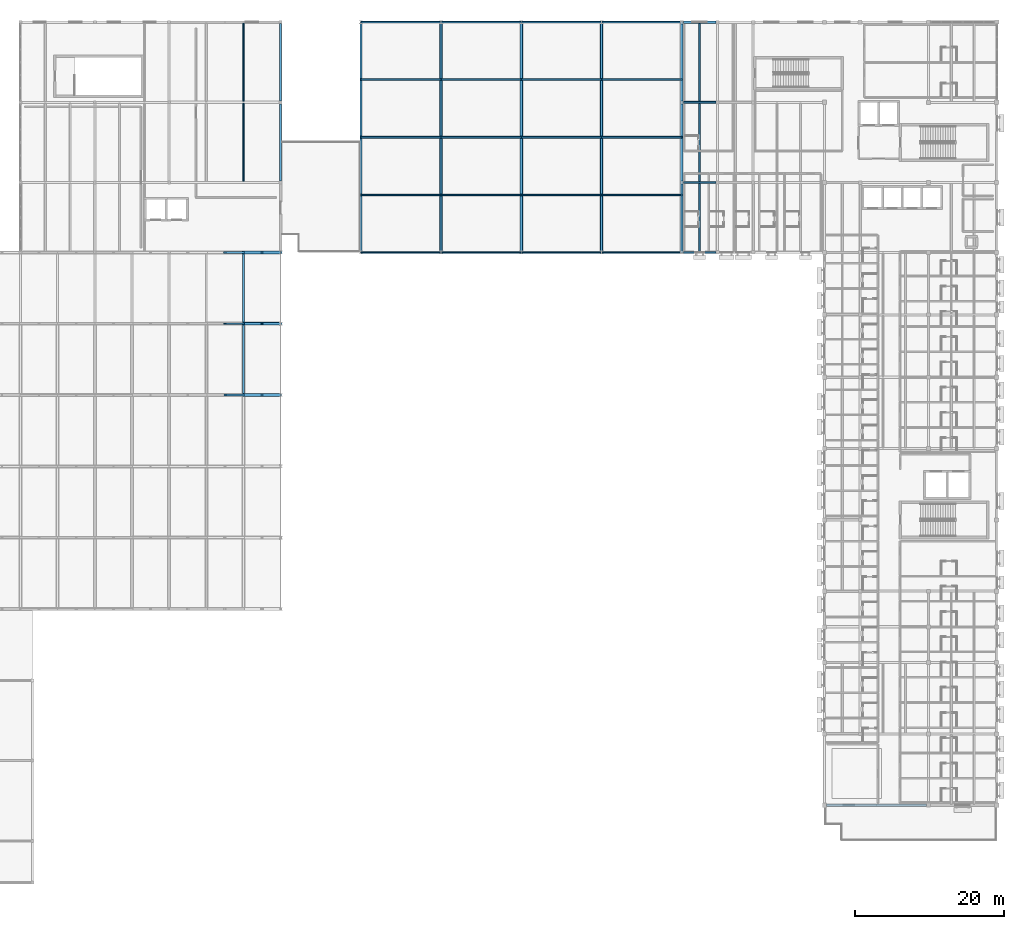
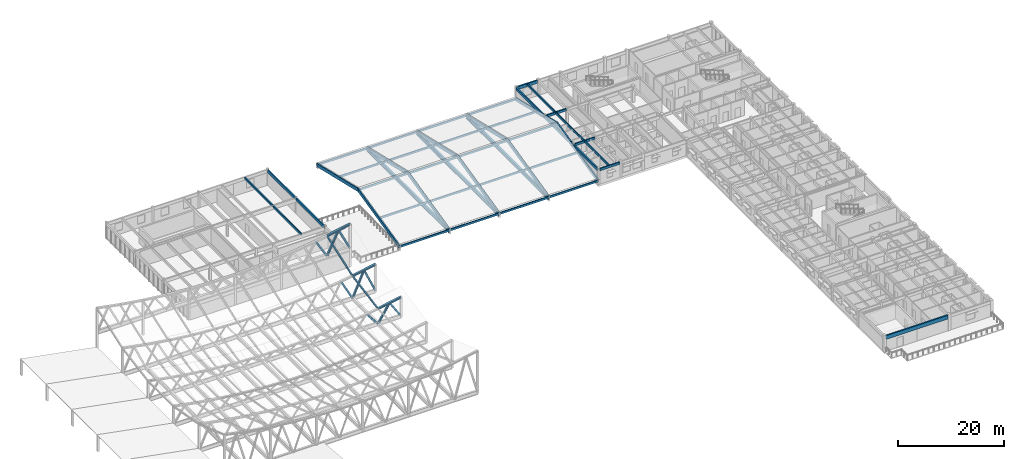
# One storey, part 16 of 40: 44 members, 18 beams, 2 elements without a shape of their own.
"""IFC4 building model written with IfcOpenShell, lengths in metres."""

from ifc_helpers import new_model, si_unit, direction, frame, origin, origin_2d, place, context, subcontext, project, spatial, rectangle, i_section, extrude, material, material_profile, profile_set, type_object, element, aggregate, save


model = new_model("IFC4")

# Units and contexts
model_context = context("Model", 3, precision=1e-05, world=origin(), true_north=direction((0.0, 1.0)))
body_context = subcontext(model_context, "Body", "Model", "MODEL_VIEW")
ifc_project = project(units=[si_unit("LENGTHUNIT", "METRE"), si_unit("AREAUNIT", "SQUARE_METRE"), si_unit("VOLUMEUNIT", "CUBIC_METRE"), si_unit("PLANEANGLEUNIT", "RADIAN"), si_unit("MASSUNIT", "GRAM", prefix="KILO")], contexts=[model_context])

# Site, building, storey
site_placement = place(None, origin())
site = spatial("IfcSite", under=ifc_project, at=site_placement, CompositionType="ELEMENT")
building_placement = place(site_placement, origin())
building = spatial("IfcBuilding", under=site, at=building_placement, Name="Veldera Park Congress Hotel", CompositionType="ELEMENT")
storey_placement = place(building_placement, frame((0.0, 0.0, 16.199951171875)))
storey = spatial("IfcBuildingStorey", under=building, at=storey_placement, Name="L03", CompositionType="ELEMENT", Elevation=16.199951171875)

# Beams
ifc_material_1 = material(Name="Glulam GL28h (NDS 24F-V4)", Category="wood")
ifc_material_profile_1 = material_profile(ifc_material_1, rectangle(XDim=0.239990234375, YDim=0.5400390625, at=origin_2d()), Name="GL28h 240x540")
ifc_profile_set_1 = profile_set([ifc_material_profile_1], Name="Glulam GL28h (NDS 24F-V4)")
beam_type_1 = type_object("IfcBeamType", Name="BM-GL540", PredefinedType="BEAM", material=ifc_profile_set_1)
beam_1_placement = place(storey_placement, frame((41.824951171875, 27.0, 3.2900390625), z_axis=(1.0, 0.0, 0.0), x_axis=(0.0, 1.0, 0.0)))
element("IfcBeam", 1, at=beam_1_placement, inside=storey, type_object=beam_type_1, Name="L03 Girder BM-GL540 1108", PredefinedType="BEAM", context=body_context, shape_type="SweptSolid", body=[
    extrude(rectangle(XDim=0.239990234375, YDim=0.5400390625, at=origin_2d()), origin(), (0.0, 0.0, 1.0), 4.35009765625),
])
for number, where, z_axis, x_axis, name in (
    (2, (41.81005859375, 36.39990234375, 3.2900390625), (1.0, 0.0, 0.0), (0.0, 1.0, 0.0), "L03 Girder BM-GL540 1117"),
    (3, (41.81005859375, 47.199951171875, 3.2900390625), (1.0, 0.0, 0.0), (0.0, 1.0, 0.0), "L03 Girder BM-GL540 1126"),
):
    element("IfcBeam", number, at=place(storey_placement, frame(where, z_axis=z_axis, x_axis=x_axis)), inside=storey, type_object=beam_type_1, Name=name, PredefinedType="BEAM", context=body_context, shape_type="SweptSolid", body=[
        extrude(rectangle(XDim=0.239990234375, YDim=0.5400390625, at=origin_2d()), origin(), (0.0, 0.0, 1.0), 4.3798828125),
    ])
ifc_material_profile_2 = material_profile(ifc_material_1, rectangle(XDim=0.264892578125, YDim=0.6201171875, at=origin_2d()), Name="GL28h 265x620")
ifc_profile_set_2 = profile_set([ifc_material_profile_2], Name="Glulam GL28h (NDS 24F-V4)")
beam_type_2 = type_object("IfcBeamType", Name="BM-GL620", PredefinedType="BEAM", material=ifc_profile_set_2)
beam_2_placement = place(storey_placement, frame((41.60009765625, 27.22509765625, 3.25), z_axis=(0.0, 1.0, 0.0), x_axis=(-1.0, 0.0, 0.0)))
element("IfcBeam", 4, at=beam_2_placement, inside=storey, type_object=beam_type_2, Name="L03 Girder BM-GL620 1148", PredefinedType="BEAM", context=body_context, shape_type="SweptSolid", body=[
    extrude(rectangle(XDim=0.264892578125, YDim=0.6201171875, at=origin_2d()), origin(), (0.0, 0.0, 1.0), 8.96484375),
])
ifc_material_profile_3 = material_profile(ifc_material_1, rectangle(XDim=0.280029296875, YDim=0.639892578125, at=origin_2d()), Name="GL28h 280x640")
ifc_profile_set_3 = profile_set([ifc_material_profile_3], Name="Glulam GL28h (NDS 24F-V4)")
beam_type_3 = type_object("IfcBeamType", Name="BM-GL640", PredefinedType="BEAM", material=ifc_profile_set_3)
for number, where, z_axis, x_axis, name in (
    (5, (-12.39990234375, 36.594970703125, 3.239990234375), (0.0, 1.0, 0.0), (-1.0, 0.0, 0.0), "L03 Girder BM-GL640 1146"),
    (6, (-12.39990234375, 47.39501953125, 3.239990234375), (0.0, 1.0, 0.0), (-1.0, 0.0, 0.0), "L03 Girder BM-GL640 1147"),
):
    element("IfcBeam", number, at=place(storey_placement, frame(where, z_axis=z_axis, x_axis=x_axis)), inside=storey, type_object=beam_type_3, Name=name, PredefinedType="BEAM", context=body_context, shape_type="SweptSolid", body=[
        extrude(rectangle(XDim=0.280029296875, YDim=0.639892578125, at=origin_2d()), origin(), (0.0, 0.0, 1.0), 10.409912109375),
    ])
beam_3_placement = place(storey_placement, frame((41.60009765625, 36.610107421875, 3.239990234375), z_axis=(0.0, 1.0, 0.0), x_axis=(-1.0, 0.0, 0.0)))
element("IfcBeam", 7, at=beam_3_placement, inside=storey, type_object=beam_type_3, Name="L03 Girder BM-GL640 1149", PredefinedType="BEAM", context=body_context, shape_type="SweptSolid", body=[
    extrude(rectangle(XDim=0.280029296875, YDim=0.639892578125, at=origin_2d()), origin(), (0.0, 0.0, 1.0), 10.3798828125),
])
beam_4_placement = place(storey_placement, frame((41.60009765625, 47.409912109375, 3.239990234375), z_axis=(0.0, 1.0, 0.0), x_axis=(-1.0, 0.0, 0.0)))
element("IfcBeam", 8, at=beam_4_placement, inside=storey, type_object=beam_type_3, Name="L03 Girder BM-GL640 1150", PredefinedType="BEAM", context=body_context, shape_type="SweptSolid", body=[
    extrude(rectangle(XDim=0.280029296875, YDim=0.639892578125, at=origin_2d()), origin(), (0.0, 0.0, 1.0), 10.364990234375),
])
ifc_material_profile_4 = material_profile(ifc_material_1, rectangle(XDim=0.31494140625, YDim=0.679931640625, at=origin_2d()), Name="GL28h 315x680")
ifc_profile_set_4 = profile_set([ifc_material_profile_4], Name="Glulam GL28h (NDS 24F-V4)")
beam_type_4 = type_object("IfcBeamType", Name="BM-GL640E", PredefinedType="BEAM", material=ifc_profile_set_4)
beam_5_placement = place(storey_placement, frame((41.824951171875, 58.0, 3.219970703125), z_axis=(1.0, 0.0, 0.0), x_axis=(0.0, 1.0, 0.0)))
element("IfcBeam", 9, at=beam_5_placement, inside=storey, type_object=beam_type_4, Name="L03 Girder BM-GL640E 1133", PredefinedType="BEAM", context=body_context, shape_type="SweptSolid", body=[
    extrude(rectangle(XDim=0.31494140625, YDim=0.679931640625, at=origin_2d()), origin(), (0.0, 0.0, 1.0), 4.35009765625),
])
ifc_material_profile_5 = material_profile(ifc_material_1, rectangle(XDim=0.31494140625, YDim=0.860107421875, at=origin_2d()), Name="GL28h 315x860")
ifc_profile_set_5 = profile_set([ifc_material_profile_5], Name="Glulam GL28h (NDS 24F-V4)")
beam_type_5 = type_object("IfcBeamType", Name="BM-GL860", PredefinedType="BEAM", material=ifc_profile_set_5)
beam_6_placement = place(storey_placement, frame((61.080078125, -47.39990234375, 3.130126953125), z_axis=(1.0, 0.0, 0.0), x_axis=(0.0, 1.0, 0.0)))
element("IfcBeam", 10, at=beam_6_placement, inside=storey, type_object=beam_type_5, Name="L03 Girder BM-GL860 1083", PredefinedType="BEAM", context=body_context, shape_type="SweptSolid", body=[
    extrude(rectangle(XDim=0.31494140625, YDim=0.860107421875, at=origin_2d()), origin(), (0.0, 0.0, 1.0), 13.4599609375),
])
ifc_material_2 = material(Name="Steel ASTM A992 Gr.50", Category="steel")
ifc_material_profile_6 = material_profile(ifc_material_2, i_section(OverallWidth=0.40087890625, OverallDepth=0.85498046875, WebThickness=0.018310546875, FlangeThickness=0.029296875, at=origin_2d()), Name="W33X201")
ifc_profile_set_6 = profile_set([ifc_material_profile_6], Name="Steel ASTM A992 Gr.50")
beam_type_6 = type_object("IfcBeamType", Name="BM-W33", PredefinedType="BEAM", material=ifc_profile_set_6)
for number, where, z_axis, x_axis, name in (
    (11, (9.199951171875, 27.0, 0.650146484375), (0.0, 1.0, 0.0), (-1.0, 0.0, 0.0), "Ballroom Roof Tie Girder 2"),
    (12, (20.0, 27.0, 0.650146484375), (0.0, 1.0, 0.0), (-1.0, 0.0, 0.0), "Ballroom Roof Tie Girder 3"),
    (13, (30.800048828125, 27.0, 0.650146484375), (0.0, 1.0, 0.0), (-1.0, 0.0, 0.0), "Ballroom Roof Tie Girder 4"),
):
    element("IfcBeam", number, at=place(storey_placement, frame(where, z_axis=z_axis, x_axis=x_axis)), inside=storey, type_object=beam_type_6, Name=name, PredefinedType="BEAM", context=body_context, shape_type="SweptSolid", body=[
        extrude(i_section(OverallWidth=0.40087890625, OverallDepth=0.85498046875, WebThickness=0.018310546875, FlangeThickness=0.029296875, at=origin_2d()), origin(), (0.0, 0.0, 1.0), 31.0),
    ])
ifc_material_profile_7 = material_profile(ifc_material_1, rectangle(XDim=0.215087890625, YDim=0.449951171875, at=origin_2d()), Name="GL28h 215x450")
ifc_profile_set_7 = profile_set([ifc_material_profile_7], Name="Glulam GL28h (NDS 24F-V4)")
beam_type_7 = type_object("IfcBeamType", Name="JST-GL450", PredefinedType="JOIST", material=ifc_profile_set_7)
beam_7_placement = place(storey_placement, frame((44.0, 27.1201171875, 3.3349609375), z_axis=(0.0, 1.0, 0.0), x_axis=(-1.0, 0.0, 0.0)))
element("IfcBeam", 14, at=beam_7_placement, inside=storey, type_object=beam_type_7, Name="L03 Floor Joist JST-GL450 1228", PredefinedType="JOIST", context=body_context, shape_type="SweptSolid", body=[
    extrude(rectangle(XDim=0.215087890625, YDim=0.449951171875, at=origin_2d()), origin(), (0.0, 0.0, 1.0), 9.159912109375),
])
ifc_material_profile_8 = material_profile(ifc_material_1, rectangle(XDim=0.215087890625, YDim=0.4951171875, at=origin_2d()), Name="GL28h 215x495")
ifc_profile_set_8 = profile_set([ifc_material_profile_8], Name="Glulam GL28h (NDS 24F-V4)")
beam_type_8 = type_object("IfcBeamType", Name="JST-GL495", PredefinedType="JOIST", material=ifc_profile_set_8)
beam_8_placement = place(storey_placement, frame((-17.39990234375, 36.5576171875, 3.3125), z_axis=(0.0, 1.0, 0.0), x_axis=(-1.0, 0.0, 0.0)))
element("IfcBeam", 15, at=beam_8_placement, inside=storey, type_object=beam_type_8, Name="L03 Floor Joist JST-GL495 1240", PredefinedType="JOIST", context=body_context, shape_type="SweptSolid", body=[
    extrude(rectangle(XDim=0.215087890625, YDim=0.4951171875, at=origin_2d()), origin(), (0.0, 0.0, 1.0), 10.48486328125),
])
beam_9_placement = place(storey_placement, frame((44.0, 36.52001953125, 3.3125), z_axis=(0.0, 1.0, 0.0), x_axis=(-1.0, 0.0, 0.0)))
element("IfcBeam", 16, at=beam_9_placement, inside=storey, type_object=beam_type_8, Name="L03 Floor Joist JST-GL495 1241", PredefinedType="JOIST", context=body_context, shape_type="SweptSolid", body=[
    extrude(rectangle(XDim=0.215087890625, YDim=0.4951171875, at=origin_2d()), origin(), (0.0, 0.0, 1.0), 10.56005859375),
])
beam_10_placement = place(storey_placement, frame((-17.39990234375, 47.357421875, 3.3125), z_axis=(0.0, 1.0, 0.0), x_axis=(-1.0, 0.0, 0.0)))
element("IfcBeam", 17, at=beam_10_placement, inside=storey, type_object=beam_type_8, Name="L03 Floor Joist JST-GL495 1248", PredefinedType="JOIST", context=body_context, shape_type="SweptSolid", body=[
    extrude(rectangle(XDim=0.215087890625, YDim=0.4951171875, at=origin_2d()), origin(), (0.0, 0.0, 1.0), 10.485107421875),
])
beam_11_placement = place(storey_placement, frame((44.0, 47.320068359375, 3.3125), z_axis=(0.0, 1.0, 0.0), x_axis=(-1.0, 0.0, 0.0)))
element("IfcBeam", 18, at=beam_11_placement, inside=storey, type_object=beam_type_8, Name="L03 Floor Joist JST-GL495 1249", PredefinedType="JOIST", context=body_context, shape_type="SweptSolid", body=[
    extrude(rectangle(XDim=0.215087890625, YDim=0.4951171875, at=origin_2d()), origin(), (0.0, 0.0, 1.0), 10.5224609375),
])

# Roof, members
ifc_material_3 = material(Name="Cross-laminated timber CLT V2M1.1", Category="wood")
roof_type_1 = type_object("IfcRoofType", Name="ROOF-GAB", PredefinedType="GABLE_ROOF", material=ifc_material_3)
roof_1_placement = place(storey_placement, origin())
roof_1 = element("IfcRoof", 19, at=roof_1_placement, inside=storey, type_object=roof_type_1, Name="Grand Ballroom Sagging-Ridge Roof", PredefinedType="GABLE_ROOF")
ifc_material_profile_9 = material_profile(ifc_material_1, rectangle(XDim=0.215087890625, YDim=0.449951171875, at=origin_2d()), Name="GL28h 215x450")
ifc_profile_set_9 = profile_set([ifc_material_profile_9], Name="Glulam GL28h (NDS 24F-V4)")
member_type_1 = type_object("IfcMemberType", Name="PUR-GL450", PredefinedType="PURLIN", material=ifc_profile_set_9)
member_1_placement = place(storey_placement, frame((-1.60009765625, 27.0, 0.800048828125), z_axis=(1.0, 0.0, 0.0), x_axis=(0.0, 1.0, 0.0)))
member_1 = element("IfcMember", 20, at=member_1_placement, type_object=member_type_1, Name="Ballroom Roof Purlin 1-27", PredefinedType="PURLIN", context=body_context, shape_type="SweptSolid", body=[
    extrude(rectangle(XDim=0.215087890625, YDim=0.449951171875, at=origin_2d()), origin(), (0.0, 0.0, 1.0), 10.800048828125),
])
member_2_placement = place(storey_placement, frame((-1.60009765625, 34.75, 2.6201171875), z_axis=(1.0, 0.0, 0.0), x_axis=(0.0, 1.0, 0.0)))
member_2 = element("IfcMember", 21, at=member_2_placement, type_object=member_type_1, Name="Ballroom Roof Purlin 1-34", PredefinedType="PURLIN", context=body_context, shape_type="SweptSolid", body=[
    extrude(rectangle(XDim=0.215087890625, YDim=0.449951171875, at=origin_2d()), origin(), (0.0, 0.0, 1.0), 10.800048828125),
])
member_3_placement = place(storey_placement, frame((-1.60009765625, 42.5, 4.449951171875), z_axis=(1.0, 0.0, 0.0), x_axis=(0.0, 1.0, 0.0)))
member_3 = element("IfcMember", 22, at=member_3_placement, type_object=member_type_1, Name="Ballroom Roof Purlin 1-42", PredefinedType="PURLIN", context=body_context, shape_type="SweptSolid", body=[
    extrude(rectangle(XDim=0.215087890625, YDim=0.449951171875, at=origin_2d()), origin(), (0.0, 0.0, 1.0), 10.800048828125),
])
member_4_placement = place(storey_placement, frame((-1.60009765625, 50.25, 2.6201171875), z_axis=(1.0, 0.0, 0.0), x_axis=(0.0, 1.0, 0.0)))
member_4 = element("IfcMember", 23, at=member_4_placement, type_object=member_type_1, Name="Ballroom Roof Purlin 1-50", PredefinedType="PURLIN", context=body_context, shape_type="SweptSolid", body=[
    extrude(rectangle(XDim=0.215087890625, YDim=0.449951171875, at=origin_2d()), origin(), (0.0, 0.0, 1.0), 10.800048828125),
])
member_5_placement = place(storey_placement, frame((-1.60009765625, 58.0, 0.800048828125), z_axis=(1.0, 0.0, 0.0), x_axis=(0.0, 1.0, 0.0)))
member_5 = element("IfcMember", 24, at=member_5_placement, type_object=member_type_1, Name="Ballroom Roof Purlin 1-58", PredefinedType="PURLIN", context=body_context, shape_type="SweptSolid", body=[
    extrude(rectangle(XDim=0.215087890625, YDim=0.449951171875, at=origin_2d()), origin(), (0.0, 0.0, 1.0), 10.800048828125),
])
member_6_placement = place(storey_placement, frame((9.199951171875, 27.0, 0.800048828125), z_axis=(1.0, 0.0, 0.0), x_axis=(0.0, 1.0, 0.0)))
member_6 = element("IfcMember", 25, at=member_6_placement, type_object=member_type_1, Name="Ballroom Roof Purlin 2-27", PredefinedType="PURLIN", context=body_context, shape_type="SweptSolid", body=[
    extrude(rectangle(XDim=0.215087890625, YDim=0.449951171875, at=origin_2d()), origin(), (0.0, 0.0, 1.0), 10.800048828125),
])
member_7_placement = place(storey_placement, frame((9.199951171875, 34.75, 2.6201171875), z_axis=(1.0, 0.0, 0.0), x_axis=(0.0, 1.0, 0.0)))
member_7 = element("IfcMember", 26, at=member_7_placement, type_object=member_type_1, Name="Ballroom Roof Purlin 2-34", PredefinedType="PURLIN", context=body_context, shape_type="SweptSolid", body=[
    extrude(rectangle(XDim=0.215087890625, YDim=0.449951171875, at=origin_2d()), origin(), (0.0, 0.0, 1.0), 10.800048828125),
])
member_8_placement = place(storey_placement, frame((9.199951171875, 42.5, 4.449951171875), z_axis=(1.0, 0.0, 0.0), x_axis=(0.0, 1.0, 0.0)))
member_8 = element("IfcMember", 27, at=member_8_placement, type_object=member_type_1, Name="Ballroom Roof Purlin 2-42", PredefinedType="PURLIN", context=body_context, shape_type="SweptSolid", body=[
    extrude(rectangle(XDim=0.215087890625, YDim=0.449951171875, at=origin_2d()), origin(), (0.0, 0.0, 1.0), 10.800048828125),
])
member_9_placement = place(storey_placement, frame((9.199951171875, 50.25, 2.6201171875), z_axis=(1.0, 0.0, 0.0), x_axis=(0.0, 1.0, 0.0)))
member_9 = element("IfcMember", 28, at=member_9_placement, type_object=member_type_1, Name="Ballroom Roof Purlin 2-50", PredefinedType="PURLIN", context=body_context, shape_type="SweptSolid", body=[
    extrude(rectangle(XDim=0.215087890625, YDim=0.449951171875, at=origin_2d()), origin(), (0.0, 0.0, 1.0), 10.800048828125),
])
member_10_placement = place(storey_placement, frame((9.199951171875, 58.0, 0.800048828125), z_axis=(1.0, 0.0, 0.0), x_axis=(0.0, 1.0, 0.0)))
member_10 = element("IfcMember", 29, at=member_10_placement, type_object=member_type_1, Name="Ballroom Roof Purlin 2-58", PredefinedType="PURLIN", context=body_context, shape_type="SweptSolid", body=[
    extrude(rectangle(XDim=0.215087890625, YDim=0.449951171875, at=origin_2d()), origin(), (0.0, 0.0, 1.0), 10.800048828125),
])
member_11_placement = place(storey_placement, frame((20.0, 27.0, 0.800048828125), z_axis=(1.0, 0.0, 0.0), x_axis=(0.0, 1.0, 0.0)))
member_11 = element("IfcMember", 30, at=member_11_placement, type_object=member_type_1, Name="Ballroom Roof Purlin 3-27", PredefinedType="PURLIN", context=body_context, shape_type="SweptSolid", body=[
    extrude(rectangle(XDim=0.215087890625, YDim=0.449951171875, at=origin_2d()), origin(), (0.0, 0.0, 1.0), 10.800048828125),
])
member_12_placement = place(storey_placement, frame((20.0, 34.75, 2.6201171875), z_axis=(1.0, 0.0, 0.0), x_axis=(0.0, 1.0, 0.0)))
member_12 = element("IfcMember", 31, at=member_12_placement, type_object=member_type_1, Name="Ballroom Roof Purlin 3-34", PredefinedType="PURLIN", context=body_context, shape_type="SweptSolid", body=[
    extrude(rectangle(XDim=0.215087890625, YDim=0.449951171875, at=origin_2d()), origin(), (0.0, 0.0, 1.0), 10.800048828125),
])
member_13_placement = place(storey_placement, frame((20.0, 42.5, 4.449951171875), z_axis=(1.0, 0.0, 0.0), x_axis=(0.0, 1.0, 0.0)))
member_13 = element("IfcMember", 32, at=member_13_placement, type_object=member_type_1, Name="Ballroom Roof Purlin 3-42", PredefinedType="PURLIN", context=body_context, shape_type="SweptSolid", body=[
    extrude(rectangle(XDim=0.215087890625, YDim=0.449951171875, at=origin_2d()), origin(), (0.0, 0.0, 1.0), 10.800048828125),
])
member_14_placement = place(storey_placement, frame((20.0, 50.25, 2.6201171875), z_axis=(1.0, 0.0, 0.0), x_axis=(0.0, 1.0, 0.0)))
member_14 = element("IfcMember", 33, at=member_14_placement, type_object=member_type_1, Name="Ballroom Roof Purlin 3-50", PredefinedType="PURLIN", context=body_context, shape_type="SweptSolid", body=[
    extrude(rectangle(XDim=0.215087890625, YDim=0.449951171875, at=origin_2d()), origin(), (0.0, 0.0, 1.0), 10.800048828125),
])
member_15_placement = place(storey_placement, frame((20.0, 58.0, 0.800048828125), z_axis=(1.0, 0.0, 0.0), x_axis=(0.0, 1.0, 0.0)))
member_15 = element("IfcMember", 34, at=member_15_placement, type_object=member_type_1, Name="Ballroom Roof Purlin 3-58", PredefinedType="PURLIN", context=body_context, shape_type="SweptSolid", body=[
    extrude(rectangle(XDim=0.215087890625, YDim=0.449951171875, at=origin_2d()), origin(), (0.0, 0.0, 1.0), 10.800048828125),
])
member_16_placement = place(storey_placement, frame((30.800048828125, 27.0, 0.800048828125), z_axis=(1.0, 0.0, 0.0), x_axis=(0.0, 1.0, 0.0)))
member_16 = element("IfcMember", 35, at=member_16_placement, type_object=member_type_1, Name="Ballroom Roof Purlin 4-27", PredefinedType="PURLIN", context=body_context, shape_type="SweptSolid", body=[
    extrude(rectangle(XDim=0.215087890625, YDim=0.449951171875, at=origin_2d()), origin(), (0.0, 0.0, 1.0), 10.800048828125),
])
member_17_placement = place(storey_placement, frame((30.800048828125, 34.75, 2.6201171875), z_axis=(1.0, 0.0, 0.0), x_axis=(0.0, 1.0, 0.0)))
member_17 = element("IfcMember", 36, at=member_17_placement, type_object=member_type_1, Name="Ballroom Roof Purlin 4-34", PredefinedType="PURLIN", context=body_context, shape_type="SweptSolid", body=[
    extrude(rectangle(XDim=0.215087890625, YDim=0.449951171875, at=origin_2d()), origin(), (0.0, 0.0, 1.0), 10.800048828125),
])
member_18_placement = place(storey_placement, frame((30.800048828125, 42.5, 4.449951171875), z_axis=(1.0, 0.0, 0.0), x_axis=(0.0, 1.0, 0.0)))
member_18 = element("IfcMember", 37, at=member_18_placement, type_object=member_type_1, Name="Ballroom Roof Purlin 4-42", PredefinedType="PURLIN", context=body_context, shape_type="SweptSolid", body=[
    extrude(rectangle(XDim=0.215087890625, YDim=0.449951171875, at=origin_2d()), origin(), (0.0, 0.0, 1.0), 10.800048828125),
])
member_19_placement = place(storey_placement, frame((30.800048828125, 50.25, 2.6201171875), z_axis=(1.0, 0.0, 0.0), x_axis=(0.0, 1.0, 0.0)))
member_19 = element("IfcMember", 38, at=member_19_placement, type_object=member_type_1, Name="Ballroom Roof Purlin 4-50", PredefinedType="PURLIN", context=body_context, shape_type="SweptSolid", body=[
    extrude(rectangle(XDim=0.215087890625, YDim=0.449951171875, at=origin_2d()), origin(), (0.0, 0.0, 1.0), 10.800048828125),
])
member_20_placement = place(storey_placement, frame((30.800048828125, 58.0, 0.800048828125), z_axis=(1.0, 0.0, 0.0), x_axis=(0.0, 1.0, 0.0)))
member_20 = element("IfcMember", 39, at=member_20_placement, type_object=member_type_1, Name="Ballroom Roof Purlin 4-58", PredefinedType="PURLIN", context=body_context, shape_type="SweptSolid", body=[
    extrude(rectangle(XDim=0.215087890625, YDim=0.449951171875, at=origin_2d()), origin(), (0.0, 0.0, 1.0), 10.800048828125),
])
ifc_material_profile_10 = material_profile(ifc_material_1, rectangle(XDim=0.280029296875, YDim=0.760009765625, at=origin_2d()), Name="GL28h 280x760")
ifc_profile_set_10 = profile_set([ifc_material_profile_10], Name="Glulam GL28h (NDS 24F-V4)")
member_type_2 = type_object("IfcMemberType", Name="RAF-GL760", PredefinedType="RAFTER", material=ifc_profile_set_10)
member_21_placement = place(storey_placement, frame((-1.60009765625, 27.0, 0.75), z_axis=(0.0, 0.973373920852, 0.229223057753), x_axis=(-1.0, 0.0, 0.0)))
member_21 = element("IfcMember", 40, at=member_21_placement, type_object=member_type_2, Name="Ballroom South Rafter 1", PredefinedType="RAFTER", context=body_context, shape_type="SweptSolid", body=[
    extrude(rectangle(XDim=0.280029296875, YDim=0.760009765625, at=origin_2d()), origin(), (0.0, 0.0, 1.0), 15.924072265625),
])
member_22_placement = place(storey_placement, frame((-1.60009765625, 58.0, 0.75), z_axis=(0.0, -0.973373920852, 0.229223057753), x_axis=(1.0, 0.0, 0.0)))
member_22 = element("IfcMember", 41, at=member_22_placement, type_object=member_type_2, Name="Ballroom North Rafter 1", PredefinedType="RAFTER", context=body_context, shape_type="SweptSolid", body=[
    extrude(rectangle(XDim=0.280029296875, YDim=0.760009765625, at=origin_2d()), origin(), (0.0, 0.0, 1.0), 15.924072265625),
])
member_23_placement = place(storey_placement, frame((9.199951171875, 27.0, 0.75), z_axis=(0.0, 0.973373920852, 0.229223057753), x_axis=(-1.0, 0.0, 0.0)))
member_23 = element("IfcMember", 42, at=member_23_placement, type_object=member_type_2, Name="Ballroom South Rafter 2", PredefinedType="RAFTER", context=body_context, shape_type="SweptSolid", body=[
    extrude(rectangle(XDim=0.280029296875, YDim=0.760009765625, at=origin_2d()), origin(), (0.0, 0.0, 1.0), 15.924072265625),
])
member_24_placement = place(storey_placement, frame((9.199951171875, 58.0, 0.75), z_axis=(0.0, -0.973373920852, 0.229223057753), x_axis=(1.0, 0.0, 0.0)))
member_24 = element("IfcMember", 43, at=member_24_placement, type_object=member_type_2, Name="Ballroom North Rafter 2", PredefinedType="RAFTER", context=body_context, shape_type="SweptSolid", body=[
    extrude(rectangle(XDim=0.280029296875, YDim=0.760009765625, at=origin_2d()), origin(), (0.0, 0.0, 1.0), 15.924072265625),
])
member_25_placement = place(storey_placement, frame((20.0, 27.0, 0.75), z_axis=(0.0, 0.973373920852, 0.229223057753), x_axis=(-1.0, 0.0, 0.0)))
member_25 = element("IfcMember", 44, at=member_25_placement, type_object=member_type_2, Name="Ballroom South Rafter 3", PredefinedType="RAFTER", context=body_context, shape_type="SweptSolid", body=[
    extrude(rectangle(XDim=0.280029296875, YDim=0.760009765625, at=origin_2d()), origin(), (0.0, 0.0, 1.0), 15.924072265625),
])
member_26_placement = place(storey_placement, frame((20.0, 58.0, 0.75), z_axis=(0.0, -0.973373920852, 0.229223057753), x_axis=(1.0, 0.0, 0.0)))
member_26 = element("IfcMember", 45, at=member_26_placement, type_object=member_type_2, Name="Ballroom North Rafter 3", PredefinedType="RAFTER", context=body_context, shape_type="SweptSolid", body=[
    extrude(rectangle(XDim=0.280029296875, YDim=0.760009765625, at=origin_2d()), origin(), (0.0, 0.0, 1.0), 15.924072265625),
])
member_27_placement = place(storey_placement, frame((30.800048828125, 27.0, 0.75), z_axis=(0.0, 0.973373920852, 0.229223057753), x_axis=(-1.0, 0.0, 0.0)))
member_27 = element("IfcMember", 46, at=member_27_placement, type_object=member_type_2, Name="Ballroom South Rafter 4", PredefinedType="RAFTER", context=body_context, shape_type="SweptSolid", body=[
    extrude(rectangle(XDim=0.280029296875, YDim=0.760009765625, at=origin_2d()), origin(), (0.0, 0.0, 1.0), 15.924072265625),
])
member_28_placement = place(storey_placement, frame((30.800048828125, 58.0, 0.75), z_axis=(0.0, -0.973373920852, 0.229223057753), x_axis=(1.0, 0.0, 0.0)))
member_28 = element("IfcMember", 47, at=member_28_placement, type_object=member_type_2, Name="Ballroom North Rafter 4", PredefinedType="RAFTER", context=body_context, shape_type="SweptSolid", body=[
    extrude(rectangle(XDim=0.280029296875, YDim=0.760009765625, at=origin_2d()), origin(), (0.0, 0.0, 1.0), 15.924072265625),
])
member_29_placement = place(storey_placement, frame((41.60009765625, 27.0, 0.75), z_axis=(0.0, 0.973373920852, 0.229223057753), x_axis=(-1.0, 0.0, 0.0)))
member_29 = element("IfcMember", 48, at=member_29_placement, type_object=member_type_2, Name="Ballroom South Rafter 5", PredefinedType="RAFTER", context=body_context, shape_type="SweptSolid", body=[
    extrude(rectangle(XDim=0.280029296875, YDim=0.760009765625, at=origin_2d()), origin(), (0.0, 0.0, 1.0), 15.924072265625),
])
member_30_placement = place(storey_placement, frame((41.60009765625, 58.0, 0.75), z_axis=(0.0, -0.973373920852, 0.229223057753), x_axis=(1.0, 0.0, 0.0)))
member_30 = element("IfcMember", 49, at=member_30_placement, type_object=member_type_2, Name="Ballroom North Rafter 5", PredefinedType="RAFTER", context=body_context, shape_type="SweptSolid", body=[
    extrude(rectangle(XDim=0.280029296875, YDim=0.760009765625, at=origin_2d()), origin(), (0.0, 0.0, 1.0), 15.924072265625),
])
aggregate(roof_1, [member_21, member_22, member_23, member_24, member_25, member_26, member_27, member_28, member_29, member_30, member_1, member_2, member_3, member_4, member_5, member_6, member_7, member_8, member_9, member_10, member_11, member_12, member_13, member_14, member_15, member_16, member_17, member_18, member_19, member_20])

roof_type_2 = type_object("IfcRoofType", Name="ROOF-PAV", PredefinedType="PAVILION_ROOF", material=ifc_material_3)
roof_2_placement = place(storey_placement, origin())
roof_2 = element("IfcRoof", 50, at=roof_2_placement, inside=storey, type_object=roof_type_2, Name="Plenary Congress Pavilion Sweeping Space Frame Roof", PredefinedType="PAVILION_ROOF")
ifc_material_profile_11 = material_profile(ifc_material_2, i_section(OverallWidth=0.404052734375, OverallDepth=0.406982421875, WebThickness=0.027099609375, FlangeThickness=0.043701171875, at=origin_2d()), Name="W14X233")
ifc_profile_set_11 = profile_set([ifc_material_profile_11], Name="Steel ASTM A992 Gr.50")
member_type_3 = type_object("IfcMemberType", Name="TR-CHD233", PredefinedType="CHORD", material=ifc_profile_set_11)
member_31_placement = place(storey_placement, frame((-17.39990234375, 7.800048828125, 3.689697265625), z_axis=(0.982514072984, 0.0, 0.186188335803), x_axis=(0.0, 1.0, 0.0)))
member_31 = element("IfcMember", 51, at=member_31_placement, type_object=member_type_3, Name="Plenary Roof Space Frame Top Chord 44", PredefinedType="CHORD", context=body_context, shape_type="SweptSolid", body=[
    extrude(i_section(OverallWidth=0.404052734375, OverallDepth=0.406982421875, WebThickness=0.027099609375, FlangeThickness=0.043701171875, at=origin_2d()), origin(), (0.0, 0.0, 1.0), 5.0888671875),
])
member_32_placement = place(storey_placement, frame((-17.39990234375, 17.39990234375, 5.383056640625), z_axis=(0.982514072984, 0.0, 0.186188335803), x_axis=(0.0, 1.0, 0.0)))
member_32 = element("IfcMember", 52, at=member_32_placement, type_object=member_type_3, Name="Plenary Roof Space Frame Top Chord 55", PredefinedType="CHORD", context=body_context, shape_type="SweptSolid", body=[
    extrude(i_section(OverallWidth=0.404052734375, OverallDepth=0.406982421875, WebThickness=0.027099609375, FlangeThickness=0.043701171875, at=origin_2d()), origin(), (0.0, 0.0, 1.0), 5.0888671875),
])
member_33_placement = place(storey_placement, frame((-17.39990234375, 27.0, 8.77001953125), z_axis=(0.982514072984, 0.0, 0.186188335803), x_axis=(0.0, 1.0, 0.0)))
member_33 = element("IfcMember", 53, at=member_33_placement, type_object=member_type_3, Name="Plenary Roof Space Frame Top Chord 66", PredefinedType="CHORD", context=body_context, shape_type="SweptSolid", body=[
    extrude(i_section(OverallWidth=0.404052734375, OverallDepth=0.406982421875, WebThickness=0.027099609375, FlangeThickness=0.043701171875, at=origin_2d()), origin(), (0.0, 0.0, 1.0), 5.0888671875),
])
ifc_material_profile_12 = material_profile(ifc_material_2, i_section(OverallWidth=0.25390625, OverallDepth=0.35595703125, WebThickness=0.010498046875, FlangeThickness=0.018310546875, at=origin_2d()), Name="W14X68")
ifc_profile_set_12 = profile_set([ifc_material_profile_12], Name="Steel ASTM A992 Gr.50")
member_type_4 = type_object("IfcMemberType", Name="TR-WEB68", PredefinedType="MEMBER", material=ifc_profile_set_12)
member_34_placement = place(storey_placement, frame((-17.39990234375, 7.800048828125, 3.689697265625), z_axis=(0.0, 0.984796414822, 0.173712467465), x_axis=(-1.0, 0.0, 0.0)))
member_34 = element("IfcMember", 54, at=member_34_placement, type_object=member_type_4, Name="Plenary Space Frame Cross Chord 120", PredefinedType="MEMBER", context=body_context, shape_type="SweptSolid", body=[
    extrude(i_section(OverallWidth=0.25390625, OverallDepth=0.35595703125, WebThickness=0.010498046875, FlangeThickness=0.018310546875, at=origin_2d()), origin(), (0.0, 0.0, 1.0), 9.748046875),
])
member_35_placement = place(storey_placement, frame((-17.39990234375, 17.39990234375, 5.383056640625), z_axis=(0.0, 0.943030616878, 0.332705959716), x_axis=(-1.0, 0.0, 0.0)))
member_35 = element("IfcMember", 55, at=member_35_placement, type_object=member_type_4, Name="Plenary Space Frame Cross Chord 121", PredefinedType="MEMBER", context=body_context, shape_type="SweptSolid", body=[
    extrude(i_section(OverallWidth=0.25390625, OverallDepth=0.35595703125, WebThickness=0.010498046875, FlangeThickness=0.018310546875, at=origin_2d()), origin(), (0.0, 0.0, 1.0), 10.179931640625),
])
ifc_material_profile_13 = material_profile(ifc_material_2, i_section(OverallWidth=0.257080078125, OverallDepth=0.363037109375, WebThickness=0.012939453125, FlangeThickness=0.021728515625, at=origin_2d()), Name="W14X82")
ifc_profile_set_13 = profile_set([ifc_material_profile_13], Name="Steel ASTM A992 Gr.50")
member_type_5 = type_object("IfcMemberType", Name="TR-WEB82", PredefinedType="MEMBER", material=ifc_profile_set_13)
member_36_placement = place(storey_placement, frame((-17.39990234375, 7.800048828125, 0.25), z_axis=(-0.632618572795, 0.0, 0.774463518414), x_axis=(0.0, -1.0, 0.0)))
member_36 = element("IfcMember", 56, at=member_36_placement, type_object=member_type_5, Name="Plenary Roof Space Frame Web B 43", PredefinedType="MEMBER", context=body_context, shape_type="SweptSolid", body=[
    extrude(i_section(OverallWidth=0.257080078125, OverallDepth=0.363037109375, WebThickness=0.012939453125, FlangeThickness=0.021728515625, at=origin_2d()), origin(), (0.0, 0.0, 1.0), 3.951904296875),
])
member_37_placement = place(storey_placement, frame((-17.39990234375, 17.39990234375, 0.25), z_axis=(-0.465465393137, 0.0, 0.885066081031), x_axis=(0.0, -1.0, 0.0)))
member_37 = element("IfcMember", 57, at=member_37_placement, type_object=member_type_5, Name="Plenary Roof Space Frame Web B 54", PredefinedType="MEMBER", context=body_context, shape_type="SweptSolid", body=[
    extrude(i_section(OverallWidth=0.257080078125, OverallDepth=0.363037109375, WebThickness=0.012939453125, FlangeThickness=0.021728515625, at=origin_2d()), origin(), (0.0, 0.0, 1.0), 5.370849609375),
])
member_38_placement = place(storey_placement, frame((-17.39990234375, 27.0, 4.150146484375), z_axis=(-0.507843488487, 0.0, 0.861449354983), x_axis=(0.0, -1.0, 0.0)))
member_38 = element("IfcMember", 58, at=member_38_placement, type_object=member_type_5, Name="Plenary Roof Space Frame Web B 65", PredefinedType="MEMBER", context=body_context, shape_type="SweptSolid", body=[
    extrude(i_section(OverallWidth=0.257080078125, OverallDepth=0.363037109375, WebThickness=0.012939453125, FlangeThickness=0.021728515625, at=origin_2d()), origin(), (0.0, 0.0, 1.0), 4.9228515625),
])
ifc_material_profile_14 = material_profile(ifc_material_2, i_section(OverallWidth=0.368896484375, OverallDepth=0.35595703125, WebThickness=0.01123046875, FlangeThickness=0.01806640625, at=origin_2d()), Name="W14X90")
ifc_profile_set_14 = profile_set([ifc_material_profile_14], Name="Steel ASTM A992 Gr.50")
member_type_6 = type_object("IfcMemberType", Name="TR-WEB90", PredefinedType="MEMBER", material=ifc_profile_set_14)
member_39_placement = place(storey_placement, frame((-17.39990234375, 7.800048828125, 0.25), z_axis=(0.538337424234, 0.0, 0.842729385787), x_axis=(0.0, 1.0, 0.0)))
member_39 = element("IfcMember", 59, at=member_39_placement, type_object=member_type_6, Name="Plenary Roof Space Frame Web A 44", PredefinedType="MEMBER", context=body_context, shape_type="SweptSolid", body=[
    extrude(i_section(OverallWidth=0.368896484375, OverallDepth=0.35595703125, WebThickness=0.01123046875, FlangeThickness=0.01806640625, at=origin_2d()), origin(), (0.0, 0.0, 1.0), 4.64404296875),
])
member_40_placement = place(storey_placement, frame((-12.39990234375, 7.800048828125, 0.25), z_axis=(-0.538337424234, 0.0, 0.842729385787), x_axis=(0.0, -1.0, 0.0)))
member_40 = element("IfcMember", 60, at=member_40_placement, type_object=member_type_6, Name="Plenary Roof Space Frame Web B 44", PredefinedType="MEMBER", context=body_context, shape_type="SweptSolid", body=[
    extrude(i_section(OverallWidth=0.368896484375, OverallDepth=0.35595703125, WebThickness=0.01123046875, FlangeThickness=0.01806640625, at=origin_2d()), origin(), (0.0, 0.0, 1.0), 4.64404296875),
])
member_41_placement = place(storey_placement, frame((-17.39990234375, 17.39990234375, 0.25), z_axis=(0.407230377279, 0.0, 0.913325473104), x_axis=(0.0, 1.0, 0.0)))
member_41 = element("IfcMember", 61, at=member_41_placement, type_object=member_type_6, Name="Plenary Roof Space Frame Web A 55", PredefinedType="MEMBER", context=body_context, shape_type="SweptSolid", body=[
    extrude(i_section(OverallWidth=0.368896484375, OverallDepth=0.35595703125, WebThickness=0.01123046875, FlangeThickness=0.01806640625, at=origin_2d()), origin(), (0.0, 0.0, 1.0), 6.138916015625),
])
member_42_placement = place(storey_placement, frame((-12.39990234375, 17.39990234375, 0.25), z_axis=(-0.407230377279, 0.0, 0.913325473104), x_axis=(0.0, -1.0, 0.0)))
member_42 = element("IfcMember", 62, at=member_42_placement, type_object=member_type_6, Name="Plenary Roof Space Frame Web B 55", PredefinedType="MEMBER", context=body_context, shape_type="SweptSolid", body=[
    extrude(i_section(OverallWidth=0.368896484375, OverallDepth=0.35595703125, WebThickness=0.01123046875, FlangeThickness=0.01806640625, at=origin_2d()), origin(), (0.0, 0.0, 1.0), 6.138916015625),
])
member_43_placement = place(storey_placement, frame((-17.39990234375, 27.0, 4.150146484375), z_axis=(0.440592499636, 0.0, 0.897707218008), x_axis=(0.0, 1.0, 0.0)))
member_43 = element("IfcMember", 63, at=member_43_placement, type_object=member_type_6, Name="Plenary Roof Space Frame Web A 66", PredefinedType="MEMBER", context=body_context, shape_type="SweptSolid", body=[
    extrude(i_section(OverallWidth=0.368896484375, OverallDepth=0.35595703125, WebThickness=0.01123046875, FlangeThickness=0.01806640625, at=origin_2d()), origin(), (0.0, 0.0, 1.0), 5.674072265625),
])
member_44_placement = place(storey_placement, frame((-12.39990234375, 27.0, 4.150146484375), z_axis=(-0.440592499636, 0.0, 0.897707218008), x_axis=(0.0, -1.0, 0.0)))
member_44 = element("IfcMember", 64, at=member_44_placement, type_object=member_type_6, Name="Plenary Roof Space Frame Web B 66", PredefinedType="MEMBER", context=body_context, shape_type="SweptSolid", body=[
    extrude(i_section(OverallWidth=0.368896484375, OverallDepth=0.35595703125, WebThickness=0.01123046875, FlangeThickness=0.01806640625, at=origin_2d()), origin(), (0.0, 0.0, 1.0), 5.674072265625),
])
aggregate(roof_2, [member_36, member_39, member_40, member_31, member_37, member_41, member_42, member_32, member_38, member_43, member_44, member_33, member_34, member_35])

save(model, "model.ifc")
